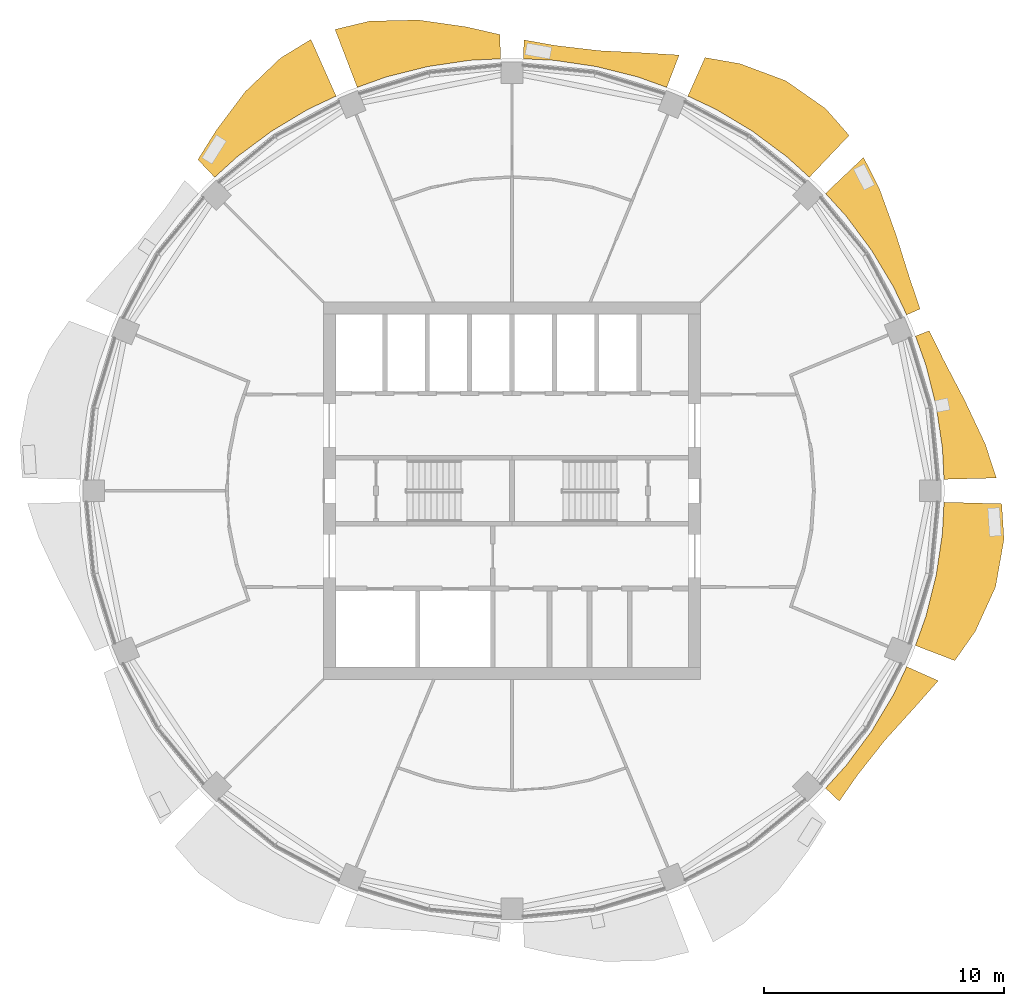
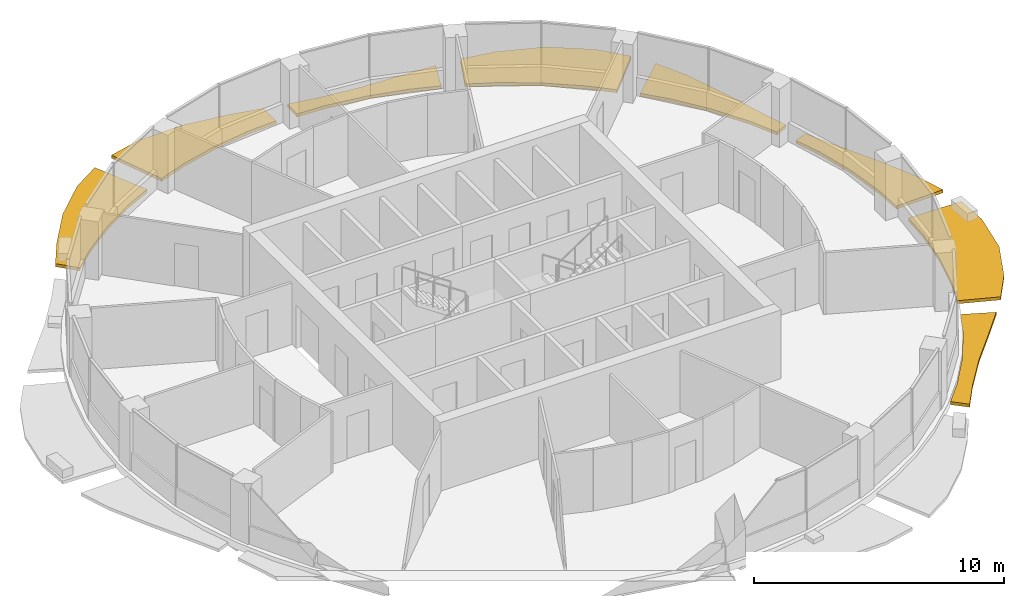
# One storey, part 14 of 15: 8 shading devices.
"""IFC4 building model written with IfcOpenShell, lengths in metres."""

from ifc_helpers import new_model, si_unit, direction, frame, origin, place, context, subcontext, project, spatial, polyline, outline, extrude, material, type_object, element, save


model = new_model("IFC4")

# Units and contexts
model_context = context("Model", 3, precision=1e-05, world=origin(), true_north=direction((0.0, 1.0)))
body_context = subcontext(model_context, "Body", "Model", "MODEL_VIEW")
ifc_project = project(units=[si_unit("LENGTHUNIT", "METRE"), si_unit("AREAUNIT", "SQUARE_METRE"), si_unit("VOLUMEUNIT", "CUBIC_METRE"), si_unit("PLANEANGLEUNIT", "RADIAN"), si_unit("MASSUNIT", "GRAM", prefix="KILO")], contexts=[model_context])

# Site, building, storey
site_placement = place(None, origin())
site = spatial("IfcSite", under=ifc_project, at=site_placement, CompositionType="ELEMENT")
building_placement = place(site_placement, origin())
building = spatial("IfcBuilding", under=site, at=building_placement, Name="Polderwave Tower", CompositionType="ELEMENT")
storey_placement = place(building_placement, frame((0.0, 0.0, 191.0)))
storey = spatial("IfcBuildingStorey", under=building, at=storey_placement, Name="L51", CompositionType="ELEMENT", Elevation=191.0)

# Shading devices
ifc_material = material(Name="Terracotta", Category="masonry")
shading_device_type = type_object("IfcShadingDeviceType", Name="Terracotta sunshade band", PredefinedType="USERDEFINED", material=ifc_material)
shading_device_1_placement = place(storey_placement, frame((0.0, 0.0, -0.35009765625)))
element("IfcShadingDevice", 1, at=shading_device_1_placement, inside=storey, type_object=shading_device_type, Name="Sunshade band L51 1", ObjectType="SUNSHADE", PredefinedType="USERDEFINED", context=body_context, shape_type="SweptSolid", body=[
    extrude(outline(polyline([(18.026611328125, 0.477294921875), (17.963134765625, 1.769287109375), (17.703125, 3.521484375), (17.272705078125, 5.239501953125), (16.8369140625, 6.45751953125), (17.4091796875, 6.677001953125), (18.0087890625, 5.462890625), (18.89794921875, 3.759033203125), (19.75048828125, 1.9453125), (20.212890625, 0.53515625), (18.026611328125, 0.477294921875)])), origin(), (0.0, 0.0, 1.0), 0.150146484375),
])
shading_device_2_placement = place(storey_placement, frame((0.0, 0.0, -0.35009765625)))
element("IfcShadingDevice", 2, at=shading_device_2_placement, inside=storey, type_object=shading_device_type, Name="Sunshade band L51 2", ObjectType="SUNSHADE", PredefinedType="USERDEFINED", context=body_context, shape_type="SweptSolid", body=[
    extrude(outline(polyline([(16.4716796875, 7.33935546875), (15.918701171875, 8.5087890625), (15.008056640625, 10.028076171875), (13.952880859375, 11.45068359375), (13.083984375, 12.4091796875), (14.669921875, 13.913330078125), (15.339599609375, 12.589111328125), (16.019287109375, 10.703857421875), (16.595947265625, 8.87060546875), (17.03125, 7.588623046875), (16.4716796875, 7.33935546875)])), origin(), (0.0, 0.0, 1.0), 0.150146484375),
])
shading_device_3_placement = place(storey_placement, frame((0.0, 0.0, -0.35009765625)))
element("IfcShadingDevice", 3, at=shading_device_3_placement, inside=storey, type_object=shading_device_type, Name="Sunshade band L51 3", ObjectType="SUNSHADE", PredefinedType="USERDEFINED", context=body_context, shape_type="SweptSolid", body=[
    extrude(outline(polyline([(12.4091796875, 13.083984375), (11.45068359375, 13.952880859375), (10.028076171875, 15.008056640625), (8.5087890625, 15.918701171875), (7.33935546875, 16.4716796875), (8.055419921875, 18.07861328125), (9.525146484375, 17.820556640625), (11.430419921875, 17.10693359375), (13.087890625, 15.94775390625), (14.0673828125, 14.832275390625), (12.4091796875, 13.083984375)])), origin(), (0.0, 0.0, 1.0), 0.150146484375),
])
shading_device_4_placement = place(storey_placement, frame((0.0, 0.0, -0.35009765625)))
element("IfcShadingDevice", 4, at=shading_device_4_placement, inside=storey, type_object=shading_device_type, Name="Sunshade band L51 4", ObjectType="SUNSHADE", PredefinedType="USERDEFINED", context=body_context, shape_type="SweptSolid", body=[
    extrude(outline(polyline([(6.45751953125, 16.8369140625), (5.239501953125, 17.272705078125), (3.521484375, 17.703125), (1.769287109375, 17.963134765625), (0.477294921875, 18.026611328125), (0.498046875, 18.815673828125), (1.829833984375, 18.5791015625), (3.6533203125, 18.36669921875), (5.543212890625, 18.27294921875), (6.974365234375, 18.18408203125), (6.45751953125, 16.8369140625)])), origin(), (0.0, 0.0, 1.0), 0.150146484375),
])
shading_device_5_placement = place(storey_placement, frame((0.0, 0.0, -0.35009765625)))
element("IfcShadingDevice", 5, at=shading_device_5_placement, inside=storey, type_object=shading_device_type, Name="Sunshade band L51 5", ObjectType="SUNSHADE", PredefinedType="USERDEFINED", context=body_context, shape_type="SweptSolid", body=[
    extrude(outline(polyline([(-0.477294921875, 18.026611328125), (-1.769287109375, 17.963134765625), (-3.521484375, 17.703125), (-5.239501953125, 17.272705078125), (-6.45751953125, 16.8369140625), (-7.384033203125, 19.252685546875), (-5.9453125, 19.59912109375), (-3.907958984375, 19.646728515625), (-1.90673828125, 19.360107421875), (-0.50390625, 19.0390625), (-0.477294921875, 18.026611328125)])), origin(), (0.0, 0.0, 1.0), 0.150146484375),
])
shading_device_6_placement = place(storey_placement, frame((0.0, 0.0, -0.35009765625)))
element("IfcShadingDevice", 6, at=shading_device_6_placement, inside=storey, type_object=shading_device_type, Name="Sunshade band L51 6", ObjectType="SUNSHADE", PredefinedType="USERDEFINED", context=body_context, shape_type="SweptSolid", body=[
    extrude(outline(polyline([(-7.33935546875, 16.4716796875), (-8.5087890625, 15.918701171875), (-10.028076171875, 15.008056640625), (-11.45068359375, 13.952880859375), (-12.4091796875, 13.083984375), (-13.107421875, 13.8203125), (-12.3427734375, 15.03955078125), (-11.130126953125, 16.657470703125), (-9.6552734375, 18.0634765625), (-8.392578125, 18.835205078125), (-7.33935546875, 16.4716796875)])), origin(), (0.0, 0.0, 1.0), 0.150146484375),
])
shading_device_7_placement = place(storey_placement, frame((0.0, 0.0, -0.35009765625)))
element("IfcShadingDevice", 7, at=shading_device_7_placement, inside=storey, type_object=shading_device_type, Name="Sunshade band L51 15", ObjectType="SUNSHADE", PredefinedType="USERDEFINED", context=body_context, shape_type="SweptSolid", body=[
    extrude(outline(polyline([(13.083984375, -12.4091796875), (13.952880859375, -11.45068359375), (15.008056640625, -10.028076171875), (15.918701171875, -8.5087890625), (16.4716796875, -7.33935546875), (17.787841796875, -7.92578125), (16.839111328125, -9.000732421875), (15.56982421875, -10.403564453125), (14.431640625, -11.84375), (13.65771484375, -12.953369140625), (13.083984375, -12.4091796875)])), origin(), (0.0, 0.0, 1.0), 0.150146484375),
])
shading_device_8_placement = place(storey_placement, frame((0.0, 0.0, -0.35009765625)))
element("IfcShadingDevice", 8, at=shading_device_8_placement, inside=storey, type_object=shading_device_type, Name="Sunshade band L51 16", ObjectType="SUNSHADE", PredefinedType="USERDEFINED", context=body_context, shape_type="SweptSolid", body=[
    extrude(outline(polyline([(16.8369140625, -6.45751953125), (17.272705078125, -5.239501953125), (17.703125, -3.521484375), (17.963134765625, -1.769287109375), (18.026611328125, -0.477294921875), (20.436279296875, -0.541015625), (20.531494140625, -2.022216796875), (20.17822265625, -4.013671875), (19.334716796875, -5.864990234375), (18.4775390625, -7.0869140625), (16.8369140625, -6.45751953125)])), origin(), (0.0, 0.0, 1.0), 0.150146484375),
])

save(model, "model.ifc")
